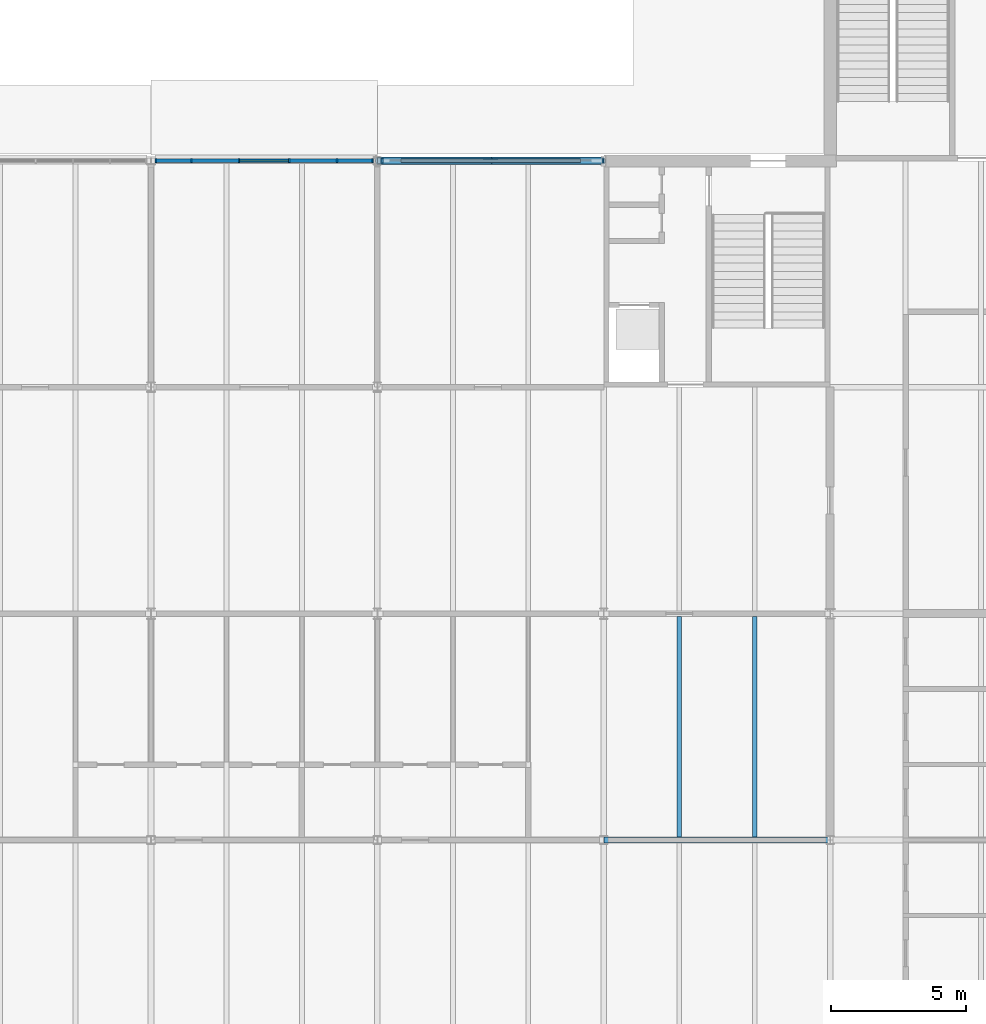
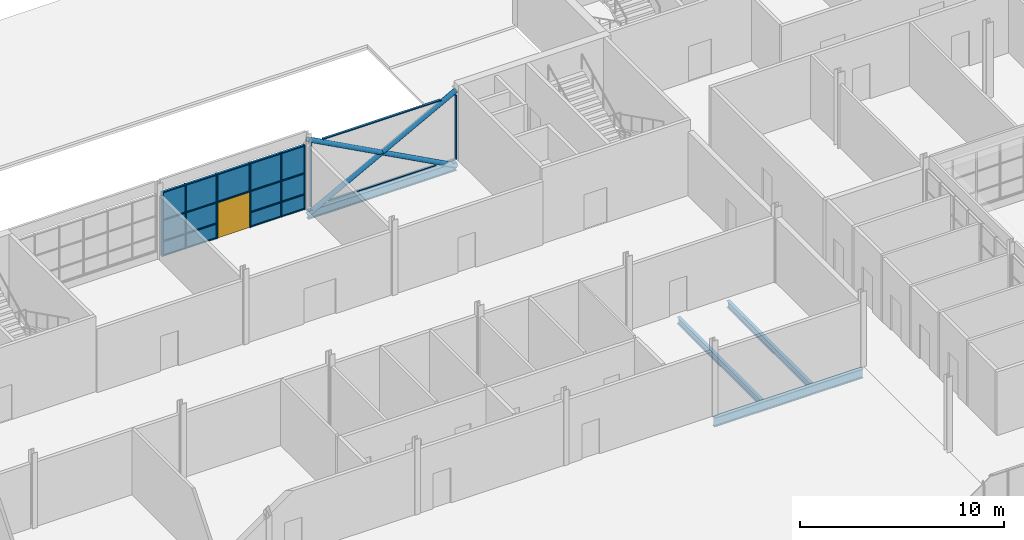
# One storey, part 59 of 116: 31 members, 13 plates, 4 beams, 1 door, 1 opening, 2 elements without a shape of their own.
"""IFC4 building model written with IfcOpenShell, lengths in metres."""

from ifc_helpers import new_model, si_unit, direction, frame, frame_2d, origin, origin_2d, place, context, subcontext, project, spatial, rectangle, hollow_circle, i_section, extrude, material, layer, layer_set, material_profile, profile_set, type_object, element, fill, aggregate, save


model = new_model("IFC4")

# Units and contexts
model_context = context("Model", 3, precision=1e-05, world=origin(), true_north=direction((0.0, 1.0)))
body_context = subcontext(model_context, "Body", "Model", "MODEL_VIEW")
ifc_project = project(units=[si_unit("LENGTHUNIT", "METRE"), si_unit("AREAUNIT", "SQUARE_METRE"), si_unit("VOLUMEUNIT", "CUBIC_METRE"), si_unit("PLANEANGLEUNIT", "RADIAN"), si_unit("MASSUNIT", "GRAM", prefix="KILO")], contexts=[model_context])

# Site, building, storey
site_placement = place(None, origin())
site = spatial("IfcSite", under=ifc_project, at=site_placement, CompositionType="ELEMENT")
building_placement = place(site_placement, origin())
building = spatial("IfcBuilding", under=site, at=building_placement, Name="Ardhachandra Cancer Care Centre", CompositionType="ELEMENT")
storey_placement = place(building_placement, origin())
storey = spatial("IfcBuildingStorey", under=building, at=storey_placement, Name="L00", CompositionType="ELEMENT", Elevation=0.0)

# Beams
ifc_material_1 = material(Name="Steel E350 (IS 2062)", Category="steel")
ifc_material_profile_1 = material_profile(ifc_material_1, i_section(OverallWidth=0.179931640625, OverallDepth=0.39990234375, WebThickness=0.008544921875, FlangeThickness=0.013427734375, FilletRadius=0.02099609375, at=origin_2d()), Name="NPB 400x180x66.30")
ifc_profile_set_1 = profile_set([ifc_material_profile_1], Name="Steel E350 (IS 2062)")
beam_type_1 = type_object("IfcBeamType", Name="Beam NPB 400x180x66.30", PredefinedType="BEAM", material=ifc_profile_set_1)
for number, where, z_axis, x_axis, name in (
    (1, (106.0, 71.5048828125, -0.35009765625), (0.0, 1.0, 0.0), (-1.0, 0.0, 0.0), "Secondary H12-J12@2800"),
    (2, (108.800048828125, 71.5048828125, -0.35009765625), (0.0, 1.0, 0.0), (-1.0, 0.0, 0.0), "Secondary H12-J12@5600"),
):
    element("IfcBeam", number, at=place(storey_placement, frame(where, z_axis=z_axis, x_axis=x_axis)), inside=storey, type_object=beam_type_1, Name=name, PredefinedType="BEAM", context=body_context, shape_type="SweptSolid", body=[
        extrude(i_section(OverallWidth=0.179931640625, OverallDepth=0.39990234375, WebThickness=0.008544921875, FlangeThickness=0.013427734375, FilletRadius=0.02099609375, at=origin_2d()), origin(), (0.0, 0.0, 1.0), 8.195068359375),
    ])
ifc_material_2 = material(Name="Steel E350 (IS 2062)", Category="steel")
ifc_material_profile_2 = material_profile(ifc_material_2, i_section(OverallWidth=0.199951171875, OverallDepth=0.5, WebThickness=0.01025390625, FlangeThickness=0.01611328125, FilletRadius=0.02099609375, at=origin_2d()), Name="NPB 500x200x90.68")
ifc_profile_set_2 = profile_set([ifc_material_profile_2], Name="Steel E350 (IS 2062)")
beam_type_2 = type_object("IfcBeamType", Name="Beam NPB 500x200x90.68", PredefinedType="BEAM", material=ifc_profile_set_2)
beam_1_placement = place(storey_placement, frame((94.800048828125, 96.60009765625, -0.39990234375), z_axis=(1.0, 0.0, 0.0), x_axis=(0.0, 1.0, 0.0)))
element("IfcBeam", 3, at=beam_1_placement, inside=storey, type_object=beam_type_2, Name="Edge girder L11-L12", PredefinedType="BEAM", context=body_context, shape_type="SweptSolid", body=[
    extrude(i_section(OverallWidth=0.199951171875, OverallDepth=0.5, WebThickness=0.01025390625, FlangeThickness=0.01611328125, FilletRadius=0.02099609375, at=origin_2d()), origin(), (0.0, 0.0, 1.0), 8.39990234375),
])
ifc_material_3 = material(Name="Steel E350 (IS 2062)", Category="steel")
ifc_material_profile_3 = material_profile(ifc_material_3, i_section(OverallWidth=0.2099609375, OverallDepth=0.550048828125, WebThickness=0.010986328125, FlangeThickness=0.01708984375, FilletRadius=0.02392578125, at=origin_2d()), Name="NPB 550x210x105.52")
ifc_profile_set_3 = profile_set([ifc_material_profile_3], Name="Steel E350 (IS 2062)")
beam_type_3 = type_object("IfcBeamType", Name="Beam NPB 550x210x105.52", PredefinedType="BEAM", material=ifc_profile_set_3)
beam_2_placement = place(storey_placement, frame((103.199951171875, 71.39990234375, -0.425048828125), z_axis=(1.0, 0.0, 0.0), x_axis=(0.0, 1.0, 0.0)))
element("IfcBeam", 4, at=beam_2_placement, inside=storey, type_object=beam_type_3, Name="Girder H12-H13", PredefinedType="BEAM", context=body_context, shape_type="SweptSolid", body=[
    extrude(i_section(OverallWidth=0.2099609375, OverallDepth=0.550048828125, WebThickness=0.010986328125, FlangeThickness=0.01708984375, FilletRadius=0.02392578125, at=origin_2d()), origin(), (0.0, 0.0, 1.0), 8.400146484375),
])

# Members
ifc_material_4 = material(Name="Steel E350 (IS 2062)", Category="steel")
ifc_material_profile_4 = material_profile(ifc_material_4, hollow_circle(Radius=0.136474609375, WallThickness=0.012451171875, at=origin_2d()), Name="CHS 273x12.5")
ifc_profile_set_4 = profile_set([ifc_material_profile_4], Name="Steel E350 (IS 2062)")
member_type_1 = type_object("IfcMemberType", Name="Brace CHS 273x12.5", PredefinedType="BRACE", material=ifc_profile_set_4)
member_1_placement = place(storey_placement, frame((94.800048828125, 96.60009765625, -0.39990234375), z_axis=(0.881477684796, 0.0, 0.472225678258), x_axis=(0.0, 1.0, 0.0)))
element("IfcMember", 5, at=member_1_placement, inside=storey, type_object=member_type_1, Name="Brace V1-X966-948 L00 A", PredefinedType="BRACE", context=body_context, shape_type="SweptSolid", body=[
    extrude(hollow_circle(Radius=0.136474609375, WallThickness=0.012451171875, at=origin_2d()), origin(), (0.0, 0.0, 1.0), 9.529296875),
])
for number, where, z_axis, x_axis, name in (
    (6, (103.199951171875, 96.60009765625, -0.39990234375), (-0.881477684796, 0.0, 0.472225678258), (0.0, -1.0, 0.0), "Brace V1-X966-948 L00 B1"),
    (7, (99.0, 96.60009765625, 1.85009765625), (-0.881477684796, 0.0, 0.472225678258), (0.0, -1.0, 0.0), "Brace V1-X966-948 L00 B2"),
):
    element("IfcMember", number, at=place(storey_placement, frame(where, z_axis=z_axis, x_axis=x_axis)), inside=storey, type_object=member_type_1, Name=name, PredefinedType="BRACE", context=body_context, shape_type="SweptSolid", body=[
        extrude(hollow_circle(Radius=0.136474609375, WallThickness=0.012451171875, at=origin_2d()), origin(), (0.0, 0.0, 1.0), 4.7646484375),
    ])

# Curtain wall, opening, members
ifc_material_5 = material(Name="Aluminium extrusion", Category="aluminium")
ifc_layer_1 = layer(ifc_material_5, 0.14990234375)
ifc_layer_set_1 = layer_set([ifc_layer_1], Name="Aluminium extrusion")
curtain_wall_type = type_object("IfcCurtainWallType", Name="Curtain wall run", PredefinedType="NOTDEFINED", material=ifc_layer_set_1)
curtain_wall_1_placement = place(storey_placement, frame((86.550048828125, 96.60009765625, 0.0), z_axis=(0.0, 0.0, 1.0), x_axis=(1.0, 0.0, 0.0)))
curtain_wall_1 = element("IfcCurtainWall", 8, at=curtain_wall_1_placement, inside=storey, type_object=curtain_wall_type, Name="Curtain wall L00 n/0086400_0096600", PredefinedType="NOTDEFINED")
opening_placement = place(curtain_wall_1_placement, frame((3.14990234375, 0.0, 0.0)))
opening = element("IfcOpeningElement", 9, at=opening_placement, cuts=curtain_wall_1, Name="Opening L00-X15", PredefinedType="OPENING", context=body_context, shape_type="SweptSolid", body=[
    extrude(rectangle(XDim=1.800048828125, YDim=2.10009765625, at=frame_2d((0.89990234375, 1.050048828125))), frame((0.0, 0.0849609375, 0.0), z_axis=(0.0, -1.0, 0.0), x_axis=(1.0, 0.0, 0.0)), (0.0, 0.0, 1.0), 0.169921875),
])
ifc_material_6 = material(Name="Aluminium extrusion", Category="aluminium")
ifc_material_profile_5 = material_profile(ifc_material_6, rectangle(XDim=0.159912109375, YDim=0.06005859375, at=origin_2d()), Name="Curtain wall mullion 60 x 160")
ifc_profile_set_5 = profile_set([ifc_material_profile_5], Name="Aluminium extrusion")
member_type_2 = type_object("IfcMemberType", Name="Curtain wall mullion 60 x 160", PredefinedType="MULLION", material=ifc_profile_set_5)
member_2_placement = place(storey_placement, frame((86.580078125, 96.60009765625, 0.0), z_axis=(0.0, 0.0, 1.0), x_axis=(0.0, 1.0, 0.0)))
member_2 = element("IfcMember", 10, at=member_2_placement, type_object=member_type_2, Name="CW mullion 1", PredefinedType="MULLION", context=body_context, shape_type="SweptSolid", body=[
    extrude(rectangle(XDim=0.159912109375, YDim=0.06005859375, at=origin_2d()), origin(), (0.0, 0.0, 1.0), 3.85009765625),
])
member_3_placement = place(storey_placement, frame((87.89990234375, 96.60009765625, 0.0), z_axis=(0.0, 0.0, 1.0), x_axis=(0.0, 1.0, 0.0)))
member_3 = element("IfcMember", 11, at=member_3_placement, type_object=member_type_2, Name="CW mullion 2", PredefinedType="MULLION", context=body_context, shape_type="SweptSolid", body=[
    extrude(rectangle(XDim=0.159912109375, YDim=0.06005859375, at=origin_2d()), origin(), (0.0, 0.0, 1.0), 3.85009765625),
])
member_4_placement = place(storey_placement, frame((89.669921875, 96.60009765625, 0.0), z_axis=(0.0, 0.0, 1.0), x_axis=(0.0, 1.0, 0.0)))
member_4 = element("IfcMember", 12, at=member_4_placement, type_object=member_type_2, Name="CW mullion 3", PredefinedType="MULLION", context=body_context, shape_type="SweptSolid", body=[
    extrude(rectangle(XDim=0.159912109375, YDim=0.06005859375, at=origin_2d()), origin(), (0.0, 0.0, 1.0), 3.85009765625),
])
member_5_placement = place(storey_placement, frame((91.530029296875, 96.60009765625, 0.0), z_axis=(0.0, 0.0, 1.0), x_axis=(0.0, 1.0, 0.0)))
member_5 = element("IfcMember", 13, at=member_5_placement, type_object=member_type_2, Name="CW mullion 4", PredefinedType="MULLION", context=body_context, shape_type="SweptSolid", body=[
    extrude(rectangle(XDim=0.159912109375, YDim=0.06005859375, at=origin_2d()), origin(), (0.0, 0.0, 1.0), 3.85009765625),
])
member_6_placement = place(storey_placement, frame((93.300048828125, 96.60009765625, 0.0), z_axis=(0.0, 0.0, 1.0), x_axis=(0.0, 1.0, 0.0)))
member_6 = element("IfcMember", 14, at=member_6_placement, type_object=member_type_2, Name="CW mullion 5", PredefinedType="MULLION", context=body_context, shape_type="SweptSolid", body=[
    extrude(rectangle(XDim=0.159912109375, YDim=0.06005859375, at=origin_2d()), origin(), (0.0, 0.0, 1.0), 3.85009765625),
])
member_7_placement = place(storey_placement, frame((94.6201171875, 96.60009765625, 0.0), z_axis=(0.0, 0.0, 1.0), x_axis=(0.0, 1.0, 0.0)))
member_7 = element("IfcMember", 15, at=member_7_placement, type_object=member_type_2, Name="CW mullion 6", PredefinedType="MULLION", context=body_context, shape_type="SweptSolid", body=[
    extrude(rectangle(XDim=0.159912109375, YDim=0.06005859375, at=origin_2d()), origin(), (0.0, 0.0, 1.0), 3.85009765625),
])

# Curtain wall, members
curtain_wall_2_placement = place(storey_placement, origin())
curtain_wall_2 = element("IfcCurtainWall", 16, at=curtain_wall_2_placement, inside=storey, type_object=curtain_wall_type, Name="Curtain wall L00 n/0094800_0096600", PredefinedType="NOTDEFINED")
member_8_placement = place(storey_placement, frame((94.97998046875, 96.60009765625, 0.0), z_axis=(0.0, 0.0, 1.0), x_axis=(0.0, 1.0, 0.0)))
member_8 = element("IfcMember", 17, at=member_8_placement, type_object=member_type_2, Name="CW mullion 1", PredefinedType="MULLION", context=body_context, shape_type="SweptSolid", body=[
    extrude(rectangle(XDim=0.159912109375, YDim=0.06005859375, at=origin_2d()), origin(), (0.0, 0.0, 1.0), 3.8310546875),
])
member_9_placement = place(storey_placement, frame((103.169921875, 96.60009765625, 0.0), z_axis=(0.0, 0.0, 1.0), x_axis=(0.0, 1.0, 0.0)))
member_9 = element("IfcMember", 18, at=member_9_placement, type_object=member_type_2, Name="CW mullion 2", PredefinedType="MULLION", context=body_context, shape_type="SweptSolid", body=[
    extrude(rectangle(XDim=0.159912109375, YDim=0.06005859375, at=origin_2d()), origin(), (0.0, 0.0, 1.0), 3.85009765625),
])

# Member
ifc_material_7 = material(Name="Aluminium extrusion", Category="aluminium")
ifc_material_profile_6 = material_profile(ifc_material_7, rectangle(XDim=0.1201171875, YDim=0.06005859375, at=origin_2d()), Name="Curtain wall transom 60 x 120")
ifc_profile_set_6 = profile_set([ifc_material_profile_6], Name="Aluminium extrusion")
member_type_3 = type_object("IfcMemberType", Name="Curtain wall transom 60 x 120", PredefinedType="USERDEFINED", material=ifc_profile_set_6)
member_10_placement = place(storey_placement, frame((86.610107421875, 96.60009765625, 0.030029296875), z_axis=(1.0, 0.0, 0.0), x_axis=(0.0, 1.0, 0.0)))
member_10 = element("IfcMember", 19, at=member_10_placement, type_object=member_type_3, Name="CW transom 1.1", ObjectType="TRANSOM", PredefinedType="USERDEFINED", context=body_context, shape_type="SweptSolid", body=[
    extrude(rectangle(XDim=0.1201171875, YDim=0.06005859375, at=origin_2d()), origin(), (0.0, 0.0, 1.0), 1.260009765625),
])

member_11_placement = place(storey_placement, frame((86.610107421875, 96.60009765625, 0.89990234375), z_axis=(1.0, 0.0, 0.0), x_axis=(0.0, 1.0, 0.0)))
member_11 = element("IfcMember", 20, at=member_11_placement, type_object=member_type_3, Name="CW transom 1.2", ObjectType="TRANSOM", PredefinedType="USERDEFINED", context=body_context, shape_type="SweptSolid", body=[
    extrude(rectangle(XDim=0.1201171875, YDim=0.06005859375, at=origin_2d()), origin(), (0.0, 0.0, 1.0), 1.260009765625),
])

member_12_placement = place(storey_placement, frame((86.610107421875, 96.60009765625, 2.159912109375), z_axis=(1.0, 0.0, 0.0), x_axis=(0.0, 1.0, 0.0)))
member_12 = element("IfcMember", 21, at=member_12_placement, type_object=member_type_3, Name="CW transom 1.3", ObjectType="TRANSOM", PredefinedType="USERDEFINED", context=body_context, shape_type="SweptSolid", body=[
    extrude(rectangle(XDim=0.1201171875, YDim=0.06005859375, at=origin_2d()), origin(), (0.0, 0.0, 1.0), 1.260009765625),
])

member_13_placement = place(storey_placement, frame((86.610107421875, 96.60009765625, 3.820068359375), z_axis=(1.0, 0.0, 0.0), x_axis=(0.0, 1.0, 0.0)))
member_13 = element("IfcMember", 22, at=member_13_placement, type_object=member_type_3, Name="CW transom 1.4", ObjectType="TRANSOM", PredefinedType="USERDEFINED", context=body_context, shape_type="SweptSolid", body=[
    extrude(rectangle(XDim=0.1201171875, YDim=0.06005859375, at=origin_2d()), origin(), (0.0, 0.0, 1.0), 1.260009765625),
])

member_14_placement = place(storey_placement, frame((87.929931640625, 96.60009765625, 0.030029296875), z_axis=(1.0, 0.0, 0.0), x_axis=(0.0, 1.0, 0.0)))
member_14 = element("IfcMember", 23, at=member_14_placement, type_object=member_type_3, Name="CW transom 2.1", ObjectType="TRANSOM", PredefinedType="USERDEFINED", context=body_context, shape_type="SweptSolid", body=[
    extrude(rectangle(XDim=0.1201171875, YDim=0.06005859375, at=origin_2d()), origin(), (0.0, 0.0, 1.0), 1.7099609375),
])

member_15_placement = place(storey_placement, frame((87.929931640625, 96.60009765625, 0.89990234375), z_axis=(1.0, 0.0, 0.0), x_axis=(0.0, 1.0, 0.0)))
member_15 = element("IfcMember", 24, at=member_15_placement, type_object=member_type_3, Name="CW transom 2.2", ObjectType="TRANSOM", PredefinedType="USERDEFINED", context=body_context, shape_type="SweptSolid", body=[
    extrude(rectangle(XDim=0.1201171875, YDim=0.06005859375, at=origin_2d()), origin(), (0.0, 0.0, 1.0), 1.7099609375),
])

member_16_placement = place(storey_placement, frame((87.929931640625, 96.60009765625, 2.159912109375), z_axis=(1.0, 0.0, 0.0), x_axis=(0.0, 1.0, 0.0)))
member_16 = element("IfcMember", 25, at=member_16_placement, type_object=member_type_3, Name="CW transom 2.3", ObjectType="TRANSOM", PredefinedType="USERDEFINED", context=body_context, shape_type="SweptSolid", body=[
    extrude(rectangle(XDim=0.1201171875, YDim=0.06005859375, at=origin_2d()), origin(), (0.0, 0.0, 1.0), 1.7099609375),
])

member_17_placement = place(storey_placement, frame((87.929931640625, 96.60009765625, 3.820068359375), z_axis=(1.0, 0.0, 0.0), x_axis=(0.0, 1.0, 0.0)))
member_17 = element("IfcMember", 26, at=member_17_placement, type_object=member_type_3, Name="CW transom 2.4", ObjectType="TRANSOM", PredefinedType="USERDEFINED", context=body_context, shape_type="SweptSolid", body=[
    extrude(rectangle(XDim=0.1201171875, YDim=0.06005859375, at=origin_2d()), origin(), (0.0, 0.0, 1.0), 1.7099609375),
])

member_18_placement = place(storey_placement, frame((89.699951171875, 96.60009765625, 2.159912109375), z_axis=(1.0, 0.0, 0.0), x_axis=(0.0, 1.0, 0.0)))
member_18 = element("IfcMember", 27, at=member_18_placement, type_object=member_type_3, Name="CW transom 3.1", ObjectType="TRANSOM", PredefinedType="USERDEFINED", context=body_context, shape_type="SweptSolid", body=[
    extrude(rectangle(XDim=0.1201171875, YDim=0.06005859375, at=origin_2d()), origin(), (0.0, 0.0, 1.0), 1.800048828125),
])

member_19_placement = place(storey_placement, frame((89.699951171875, 96.60009765625, 3.820068359375), z_axis=(1.0, 0.0, 0.0), x_axis=(0.0, 1.0, 0.0)))
member_19 = element("IfcMember", 28, at=member_19_placement, type_object=member_type_3, Name="CW transom 3.2", ObjectType="TRANSOM", PredefinedType="USERDEFINED", context=body_context, shape_type="SweptSolid", body=[
    extrude(rectangle(XDim=0.1201171875, YDim=0.06005859375, at=origin_2d()), origin(), (0.0, 0.0, 1.0), 1.800048828125),
])

member_20_placement = place(storey_placement, frame((91.56005859375, 96.60009765625, 0.030029296875), z_axis=(1.0, 0.0, 0.0), x_axis=(0.0, 1.0, 0.0)))
member_20 = element("IfcMember", 29, at=member_20_placement, type_object=member_type_3, Name="CW transom 4.1", ObjectType="TRANSOM", PredefinedType="USERDEFINED", context=body_context, shape_type="SweptSolid", body=[
    extrude(rectangle(XDim=0.1201171875, YDim=0.06005859375, at=origin_2d()), origin(), (0.0, 0.0, 1.0), 1.7099609375),
])

member_21_placement = place(storey_placement, frame((91.56005859375, 96.60009765625, 0.89990234375), z_axis=(1.0, 0.0, 0.0), x_axis=(0.0, 1.0, 0.0)))
member_21 = element("IfcMember", 30, at=member_21_placement, type_object=member_type_3, Name="CW transom 4.2", ObjectType="TRANSOM", PredefinedType="USERDEFINED", context=body_context, shape_type="SweptSolid", body=[
    extrude(rectangle(XDim=0.1201171875, YDim=0.06005859375, at=origin_2d()), origin(), (0.0, 0.0, 1.0), 1.7099609375),
])

member_22_placement = place(storey_placement, frame((91.56005859375, 96.60009765625, 2.159912109375), z_axis=(1.0, 0.0, 0.0), x_axis=(0.0, 1.0, 0.0)))
member_22 = element("IfcMember", 31, at=member_22_placement, type_object=member_type_3, Name="CW transom 4.3", ObjectType="TRANSOM", PredefinedType="USERDEFINED", context=body_context, shape_type="SweptSolid", body=[
    extrude(rectangle(XDim=0.1201171875, YDim=0.06005859375, at=origin_2d()), origin(), (0.0, 0.0, 1.0), 1.7099609375),
])

member_23_placement = place(storey_placement, frame((91.56005859375, 96.60009765625, 3.820068359375), z_axis=(1.0, 0.0, 0.0), x_axis=(0.0, 1.0, 0.0)))
member_23 = element("IfcMember", 32, at=member_23_placement, type_object=member_type_3, Name="CW transom 4.4", ObjectType="TRANSOM", PredefinedType="USERDEFINED", context=body_context, shape_type="SweptSolid", body=[
    extrude(rectangle(XDim=0.1201171875, YDim=0.06005859375, at=origin_2d()), origin(), (0.0, 0.0, 1.0), 1.7099609375),
])

member_24_placement = place(storey_placement, frame((93.330078125, 96.60009765625, 0.030029296875), z_axis=(1.0, 0.0, 0.0), x_axis=(0.0, 1.0, 0.0)))
member_24 = element("IfcMember", 33, at=member_24_placement, type_object=member_type_3, Name="CW transom 5.1", ObjectType="TRANSOM", PredefinedType="USERDEFINED", context=body_context, shape_type="SweptSolid", body=[
    extrude(rectangle(XDim=0.1201171875, YDim=0.06005859375, at=origin_2d()), origin(), (0.0, 0.0, 1.0), 1.260009765625),
])

member_25_placement = place(storey_placement, frame((93.330078125, 96.60009765625, 0.89990234375), z_axis=(1.0, 0.0, 0.0), x_axis=(0.0, 1.0, 0.0)))
member_25 = element("IfcMember", 34, at=member_25_placement, type_object=member_type_3, Name="CW transom 5.2", ObjectType="TRANSOM", PredefinedType="USERDEFINED", context=body_context, shape_type="SweptSolid", body=[
    extrude(rectangle(XDim=0.1201171875, YDim=0.06005859375, at=origin_2d()), origin(), (0.0, 0.0, 1.0), 1.260009765625),
])

member_26_placement = place(storey_placement, frame((93.330078125, 96.60009765625, 2.159912109375), z_axis=(1.0, 0.0, 0.0), x_axis=(0.0, 1.0, 0.0)))
member_26 = element("IfcMember", 35, at=member_26_placement, type_object=member_type_3, Name="CW transom 5.3", ObjectType="TRANSOM", PredefinedType="USERDEFINED", context=body_context, shape_type="SweptSolid", body=[
    extrude(rectangle(XDim=0.1201171875, YDim=0.06005859375, at=origin_2d()), origin(), (0.0, 0.0, 1.0), 1.260009765625),
])

member_27_placement = place(storey_placement, frame((93.330078125, 96.60009765625, 3.820068359375), z_axis=(1.0, 0.0, 0.0), x_axis=(0.0, 1.0, 0.0)))
member_27 = element("IfcMember", 36, at=member_27_placement, type_object=member_type_3, Name="CW transom 5.4", ObjectType="TRANSOM", PredefinedType="USERDEFINED", context=body_context, shape_type="SweptSolid", body=[
    extrude(rectangle(XDim=0.1201171875, YDim=0.06005859375, at=origin_2d()), origin(), (0.0, 0.0, 1.0), 1.260009765625),
])

member_28_placement = place(storey_placement, frame((95.950927734375, 96.60009765625, 0.030029296875), z_axis=(1.0, 0.0, 0.0), x_axis=(0.0, 1.0, 0.0)))
member_28 = element("IfcMember", 37, at=member_28_placement, type_object=member_type_3, Name="CW transom 1.1", ObjectType="TRANSOM", PredefinedType="USERDEFINED", context=body_context, shape_type="SweptSolid", body=[
    extrude(rectangle(XDim=0.1201171875, YDim=0.06005859375, at=origin_2d()), origin(), (0.0, 0.0, 1.0), 6.09912109375),
])

member_29_placement = place(storey_placement, frame((95.669921875, 96.60009765625, 3.820068359375), z_axis=(1.0, 0.0, 0.0), x_axis=(0.0, 1.0, 0.0)))
member_29 = element("IfcMember", 38, at=member_29_placement, type_object=member_type_3, Name="CW transom 1.2", ObjectType="TRANSOM", PredefinedType="USERDEFINED", context=body_context, shape_type="SweptSolid", body=[
    extrude(rectangle(XDim=0.1201171875, YDim=0.06005859375, at=origin_2d()), origin(), (0.0, 0.0, 1.0), 6.66015625),
])

aggregate(curtain_wall_2, [member_8, member_9, member_28, member_29])

# Plate
ifc_material_8 = material(Name="Low-iron double-glazed unit")
ifc_layer_2 = layer(ifc_material_8, 0.028076171875)
ifc_layer_set_2 = layer_set([ifc_layer_2], Name="Low-iron double-glazed unit")
plate_type_1 = type_object("IfcPlateType", Name="Curtain wall glazing 28", PredefinedType="CURTAIN_PANEL", material=ifc_layer_set_2)
plate_1_placement = place(storey_placement, frame((87.239990234375, 96.60009765625, 0.93017578125), z_axis=(0.0, 0.0, 1.0), x_axis=(1.0, 0.0, 0.0)))
plate_1 = element("IfcPlate", 39, at=plate_1_placement, type_object=plate_type_1, Name="CW panel 1.2", PredefinedType="CURTAIN_PANEL", context=body_context, shape_type="SweptSolid", body=[
    extrude(rectangle(XDim=1.260009765625, YDim=0.028076171875, at=origin_2d()), origin(), (0.0, 0.0, 1.0), 1.199951171875),
])

plate_2_placement = place(storey_placement, frame((87.239990234375, 96.60009765625, 2.18994140625), z_axis=(0.0, 0.0, 1.0), x_axis=(1.0, 0.0, 0.0)))
plate_2 = element("IfcPlate", 40, at=plate_2_placement, type_object=plate_type_1, Name="CW panel 1.3", PredefinedType="CURTAIN_PANEL", context=body_context, shape_type="SweptSolid", body=[
    extrude(rectangle(XDim=1.260009765625, YDim=0.028076171875, at=origin_2d()), origin(), (0.0, 0.0, 1.0), 1.60009765625),
])

plate_3_placement = place(storey_placement, frame((88.784912109375, 96.60009765625, 0.93017578125), z_axis=(0.0, 0.0, 1.0), x_axis=(1.0, 0.0, 0.0)))
plate_3 = element("IfcPlate", 41, at=plate_3_placement, type_object=plate_type_1, Name="CW panel 2.2", PredefinedType="CURTAIN_PANEL", context=body_context, shape_type="SweptSolid", body=[
    extrude(rectangle(XDim=1.7099609375, YDim=0.028076171875, at=origin_2d()), origin(), (0.0, 0.0, 1.0), 1.199951171875),
])

plate_4_placement = place(storey_placement, frame((88.784912109375, 96.60009765625, 2.18994140625), z_axis=(0.0, 0.0, 1.0), x_axis=(1.0, 0.0, 0.0)))
plate_4 = element("IfcPlate", 42, at=plate_4_placement, type_object=plate_type_1, Name="CW panel 2.3", PredefinedType="CURTAIN_PANEL", context=body_context, shape_type="SweptSolid", body=[
    extrude(rectangle(XDim=1.7099609375, YDim=0.028076171875, at=origin_2d()), origin(), (0.0, 0.0, 1.0), 1.60009765625),
])

plate_5_placement = place(storey_placement, frame((90.60009765625, 96.60009765625, 2.18994140625), z_axis=(0.0, 0.0, 1.0), x_axis=(1.0, 0.0, 0.0)))
plate_5 = element("IfcPlate", 43, at=plate_5_placement, type_object=plate_type_1, Name="CW panel 3.1", PredefinedType="CURTAIN_PANEL", context=body_context, shape_type="SweptSolid", body=[
    extrude(rectangle(XDim=1.800048828125, YDim=0.028076171875, at=origin_2d()), origin(), (0.0, 0.0, 1.0), 1.60009765625),
])

plate_6_placement = place(storey_placement, frame((92.4150390625, 96.60009765625, 0.93017578125), z_axis=(0.0, 0.0, 1.0), x_axis=(1.0, 0.0, 0.0)))
plate_6 = element("IfcPlate", 44, at=plate_6_placement, type_object=plate_type_1, Name="CW panel 4.2", PredefinedType="CURTAIN_PANEL", context=body_context, shape_type="SweptSolid", body=[
    extrude(rectangle(XDim=1.7099609375, YDim=0.028076171875, at=origin_2d()), origin(), (0.0, 0.0, 1.0), 1.199951171875),
])

plate_7_placement = place(storey_placement, frame((92.4150390625, 96.60009765625, 2.18994140625), z_axis=(0.0, 0.0, 1.0), x_axis=(1.0, 0.0, 0.0)))
plate_7 = element("IfcPlate", 45, at=plate_7_placement, type_object=plate_type_1, Name="CW panel 4.3", PredefinedType="CURTAIN_PANEL", context=body_context, shape_type="SweptSolid", body=[
    extrude(rectangle(XDim=1.7099609375, YDim=0.028076171875, at=origin_2d()), origin(), (0.0, 0.0, 1.0), 1.60009765625),
])

plate_8_placement = place(storey_placement, frame((93.9599609375, 96.60009765625, 0.93017578125), z_axis=(0.0, 0.0, 1.0), x_axis=(1.0, 0.0, 0.0)))
plate_8 = element("IfcPlate", 46, at=plate_8_placement, type_object=plate_type_1, Name="CW panel 5.2", PredefinedType="CURTAIN_PANEL", context=body_context, shape_type="SweptSolid", body=[
    extrude(rectangle(XDim=1.260009765625, YDim=0.028076171875, at=origin_2d()), origin(), (0.0, 0.0, 1.0), 1.199951171875),
])

plate_9_placement = place(storey_placement, frame((93.9599609375, 96.60009765625, 2.18994140625), z_axis=(0.0, 0.0, 1.0), x_axis=(1.0, 0.0, 0.0)))
plate_9 = element("IfcPlate", 47, at=plate_9_placement, type_object=plate_type_1, Name="CW panel 5.3", PredefinedType="CURTAIN_PANEL", context=body_context, shape_type="SweptSolid", body=[
    extrude(rectangle(XDim=1.260009765625, YDim=0.028076171875, at=origin_2d()), origin(), (0.0, 0.0, 1.0), 1.60009765625),
])

ifc_material_9 = material(Name="Aluminium composite spandrel panel", Category="aluminium")
ifc_layer_3 = layer(ifc_material_9, 0.028076171875)
ifc_layer_set_3 = layer_set([ifc_layer_3], Name="Aluminium composite spandrel panel")
plate_type_2 = type_object("IfcPlateType", Name="Curtain wall spandrel panel 28", PredefinedType="CURTAIN_PANEL", material=ifc_layer_set_3)
plate_10_placement = place(storey_placement, frame((87.239990234375, 96.60009765625, 0.06005859375), z_axis=(0.0, 0.0, 1.0), x_axis=(1.0, 0.0, 0.0)))
plate_10 = element("IfcPlate", 48, at=plate_10_placement, type_object=plate_type_2, Name="CW panel 1.1", PredefinedType="CURTAIN_PANEL", context=body_context, shape_type="SweptSolid", body=[
    extrude(rectangle(XDim=1.260009765625, YDim=0.028076171875, at=origin_2d()), origin(), (0.0, 0.0, 1.0), 0.81005859375),
])

plate_11_placement = place(storey_placement, frame((88.784912109375, 96.60009765625, 0.06005859375), z_axis=(0.0, 0.0, 1.0), x_axis=(1.0, 0.0, 0.0)))
plate_11 = element("IfcPlate", 49, at=plate_11_placement, type_object=plate_type_2, Name="CW panel 2.1", PredefinedType="CURTAIN_PANEL", context=body_context, shape_type="SweptSolid", body=[
    extrude(rectangle(XDim=1.7099609375, YDim=0.028076171875, at=origin_2d()), origin(), (0.0, 0.0, 1.0), 0.81005859375),
])

plate_12_placement = place(storey_placement, frame((92.4150390625, 96.60009765625, 0.06005859375), z_axis=(0.0, 0.0, 1.0), x_axis=(1.0, 0.0, 0.0)))
plate_12 = element("IfcPlate", 50, at=plate_12_placement, type_object=plate_type_2, Name="CW panel 4.1", PredefinedType="CURTAIN_PANEL", context=body_context, shape_type="SweptSolid", body=[
    extrude(rectangle(XDim=1.7099609375, YDim=0.028076171875, at=origin_2d()), origin(), (0.0, 0.0, 1.0), 0.81005859375),
])

plate_13_placement = place(storey_placement, frame((93.9599609375, 96.60009765625, 0.06005859375), z_axis=(0.0, 0.0, 1.0), x_axis=(1.0, 0.0, 0.0)))
plate_13 = element("IfcPlate", 51, at=plate_13_placement, type_object=plate_type_2, Name="CW panel 5.1", PredefinedType="CURTAIN_PANEL", context=body_context, shape_type="SweptSolid", body=[
    extrude(rectangle(XDim=1.260009765625, YDim=0.028076171875, at=origin_2d()), origin(), (0.0, 0.0, 1.0), 0.81005859375),
])

aggregate(curtain_wall_1, [member_2, member_3, member_4, member_5, member_6, member_7, member_10, member_11, member_12, member_13, plate_10, plate_1, plate_2, member_14, member_15, member_16, member_17, plate_11, plate_3, plate_4, member_18, member_19, plate_5, member_20, member_21, member_22, member_23, plate_12, plate_6, plate_7, member_24, member_25, member_26, member_27, plate_13, plate_8, plate_9])

# Door
ifc_material_10 = material(Name="Hollow steel door set with fire-rated infill", Category="steel")
door_type = type_object("IfcDoorType", Name="Service door pair 1800 x 2100", OperationType="DOUBLE_DOOR_SINGLE_SWING", PredefinedType="DOOR", material=ifc_material_10)
door_placement = place(opening_placement, origin())
door = element("IfcDoor", 52, at=door_placement, inside=storey, type_object=door_type, Name="Treatment Service Door L00-X15", OperationType="SINGLE_SWING_LEFT", OverallHeight=2.10009765625, OverallWidth=1.800048828125, PredefinedType="DOOR", context=body_context, shape_type="SweptSolid", body=[
    extrude(rectangle(XDim=1.800048828125, YDim=2.10009765625, at=frame_2d((0.89990234375, 1.050048828125))), frame((0.0, 0.02490234375, 0.0), z_axis=(0.0, -1.0, 0.0), x_axis=(1.0, 0.0, 0.0)), (0.0, 0.0, 1.0), 0.050048828125),
])

fill(opening, door)

save(model, "model.ifc")
